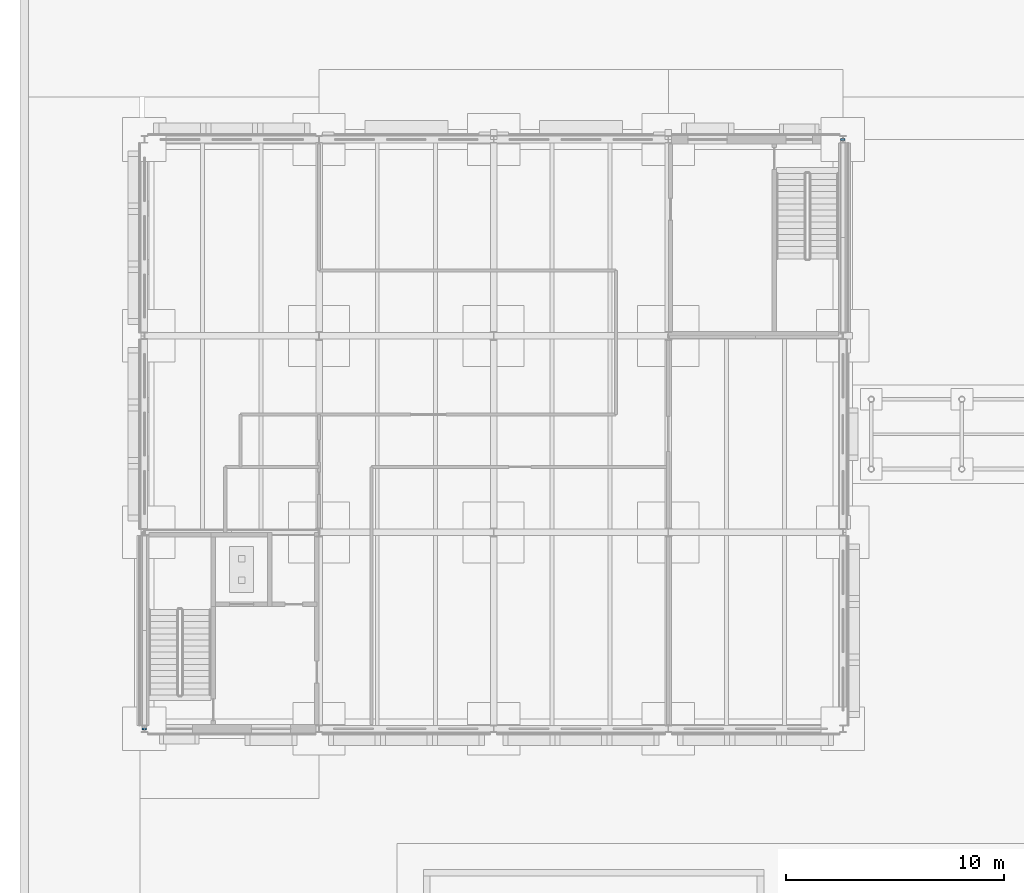
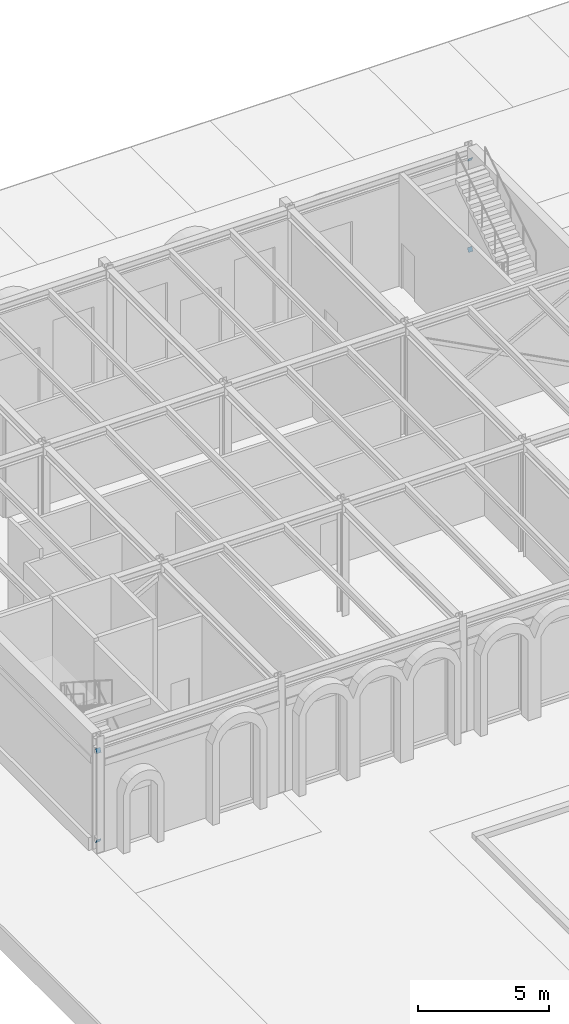
# One storey, part 93 of 126: 4 discrete accessories.
"""IFC4 building model written with IfcOpenShell, lengths in metres."""

from ifc_helpers import new_model, si_unit, direction, frame, origin, origin_2d, place, context, subcontext, project, spatial, rectangle, extrude, material, material_profile, profile_set, type_object, element, save


model = new_model("IFC4")

# Units and contexts
model_context = context("Model", 3, precision=1e-05, world=origin(), true_north=direction((0.0, 1.0)))
body_context = subcontext(model_context, "Body", "Model", "MODEL_VIEW")
ifc_project = project(units=[si_unit("LENGTHUNIT", "METRE"), si_unit("AREAUNIT", "SQUARE_METRE"), si_unit("VOLUMEUNIT", "CUBIC_METRE"), si_unit("PLANEANGLEUNIT", "RADIAN"), si_unit("MASSUNIT", "GRAM", prefix="KILO")], contexts=[model_context])

# Site, building, storey
site_placement = place(None, origin())
site = spatial("IfcSite", under=ifc_project, at=site_placement, CompositionType="ELEMENT")
building_placement = place(site_placement, origin())
building = spatial("IfcBuilding", under=site, at=building_placement, Name="Kallimachos Central Library", CompositionType="ELEMENT")
storey_placement = place(building_placement, origin())
storey = spatial("IfcBuildingStorey", under=building, at=storey_placement, Name="L00", CompositionType="ELEMENT", Elevation=0.0)

# Discrete accessories
ifc_material = material(Name="Steel S355J2", Category="steel")
ifc_material_profile = material_profile(ifc_material, rectangle(XDim=0.199951171875, YDim=0.199951171875, at=origin_2d()), Name="End cap plate 10, 200x200")
ifc_profile_set = profile_set([ifc_material_profile], Name="Steel S355J2")
discrete_accessory_type = type_object("IfcDiscreteAccessoryType", Name="End cap plate 10, 200x200", PredefinedType="BRACKET", material=ifc_profile_set)
for number, where, z_axis, x_axis, name in (
    (1, (6.0, 86.990966796875, 0.44580078125), (0.0, 0.908676843963, 0.417500171551), (-1.0, 0.0, 0.0), "End cap plate"),
    (2, (6.0, 86.990966796875, 4.654296875), (0.0, 0.899235088746, -0.437465718849), (-1.0, 0.0, 0.0), "End cap plate"),
    (3, (38.0, 114.0, 4.64990234375), (0.0, 0.899235088746, 0.437465718849), (-1.0, 0.0, 0.0), "End cap plate"),
    (4, (38.0, 114.0, 0.449951171875), (0.0, 0.908676843963, -0.417500171551), (-1.0, 0.0, 0.0), "End cap plate"),
):
    element("IfcDiscreteAccessory", number, at=place(storey_placement, frame(where, z_axis=z_axis, x_axis=x_axis)), inside=storey, type_object=discrete_accessory_type, Name=name, PredefinedType="BRACKET", context=body_context, shape_type="SweptSolid", body=[
        extrude(rectangle(XDim=0.199951171875, YDim=0.199951171875, at=origin_2d()), origin(), (0.0, 0.0, 1.0), 0.010009765625),
    ])

save(model, "model.ifc")
